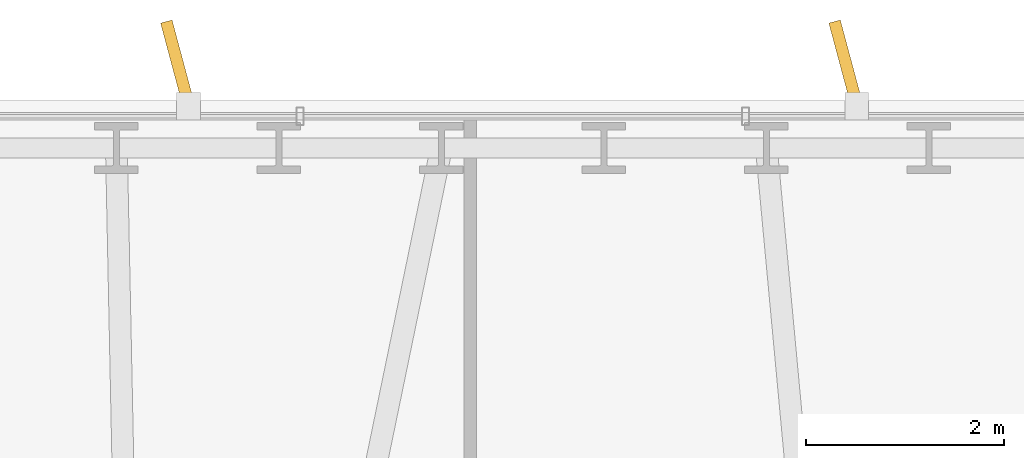
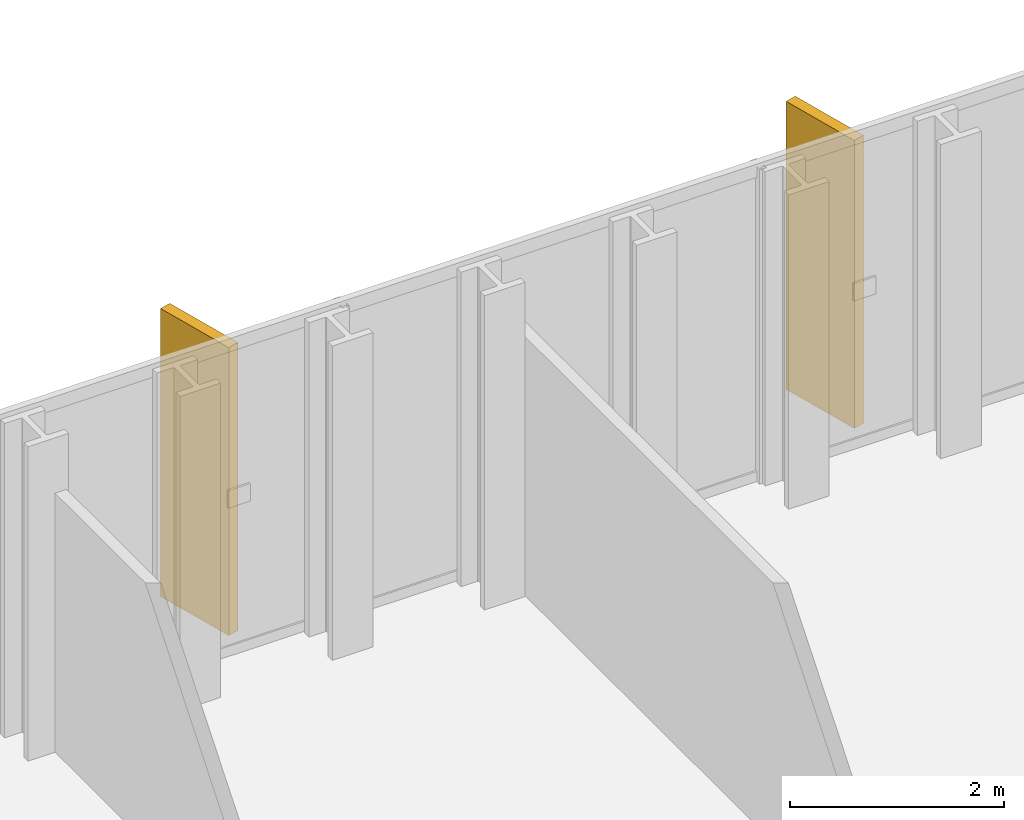
# One storey, part 31 of 31: 2 shading devices.
"""IFC4 building model written with IfcOpenShell, lengths in metres."""

from ifc_helpers import new_model, si_unit, direction, frame, origin, origin_2d, place, context, subcontext, project, spatial, rectangle, extrude, material, type_object, element, save


model = new_model("IFC4")

# Units and contexts
model_context = context("Model", 3, precision=1e-05, world=origin(), true_north=direction((0.0, 1.0)))
body_context = subcontext(model_context, "Body", "Model", "MODEL_VIEW")
ifc_project = project(units=[si_unit("LENGTHUNIT", "METRE"), si_unit("AREAUNIT", "SQUARE_METRE"), si_unit("VOLUMEUNIT", "CUBIC_METRE"), si_unit("PLANEANGLEUNIT", "RADIAN"), si_unit("MASSUNIT", "GRAM", prefix="KILO")], contexts=[model_context])

# Site, building, storey
site_placement = place(None, origin())
site = spatial("IfcSite", under=ifc_project, at=site_placement, CompositionType="ELEMENT")
building_placement = place(site_placement, origin())
building = spatial("IfcBuilding", under=site, at=building_placement, Name="Ndaravel Arena Tower", CompositionType="ELEMENT")
storey_placement = place(building_placement, frame((0.0, 0.0, 100.60009765625)))
storey = spatial("IfcBuildingStorey", under=building, at=storey_placement, Name="L23", CompositionType="ELEMENT", Elevation=100.60009765625)

# Shading devices
ifc_material = material(Name="Masonry", Category="masonry")
shading_device_type = type_object("IfcShadingDeviceType", Name="SHD-MAZERAS-FIN", PredefinedType="SHUTTER", material=ifc_material)
for number, where, z_axis, x_axis, name in (
    (1, (45.262451171875, 46.482421875, 0.14990234375), (0.0, 0.0, 1.0), (-0.258819045103, 0.965925826289, 0.0), "L23 Mazeras Stone Solar Fin E4.1"),
    (2, (38.523193359375, 46.482421875, 0.14990234375), (0.0, 0.0, 1.0), (-0.258819045103, 0.965925826289, 0.0), "L23 Mazeras Stone Solar Fin E4.2"),
):
    element("IfcShadingDevice", number, at=place(storey_placement, frame(where, z_axis=z_axis, x_axis=x_axis)), inside=storey, type_object=shading_device_type, Name=name, PredefinedType="SHUTTER", context=body_context, shape_type="SweptSolid", body=[
        extrude(rectangle(XDim=0.89990234375, YDim=0.1201171875, at=origin_2d()), origin(), (0.0, 0.0, 1.0), 3.280029296875),
    ])

save(model, "model.ifc")
